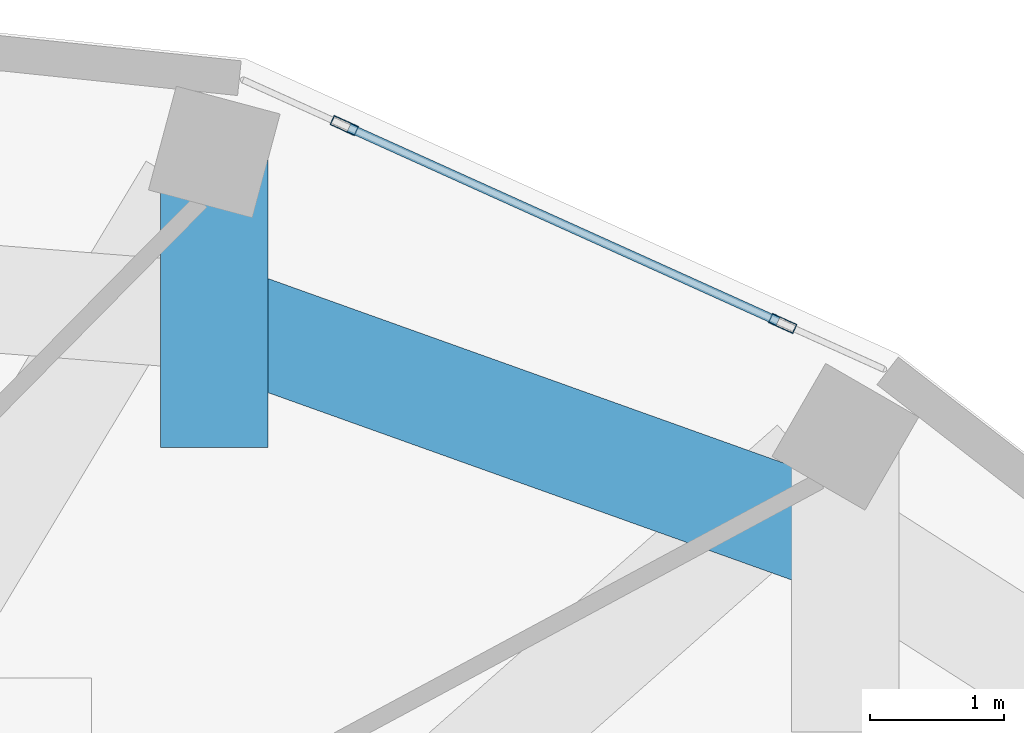
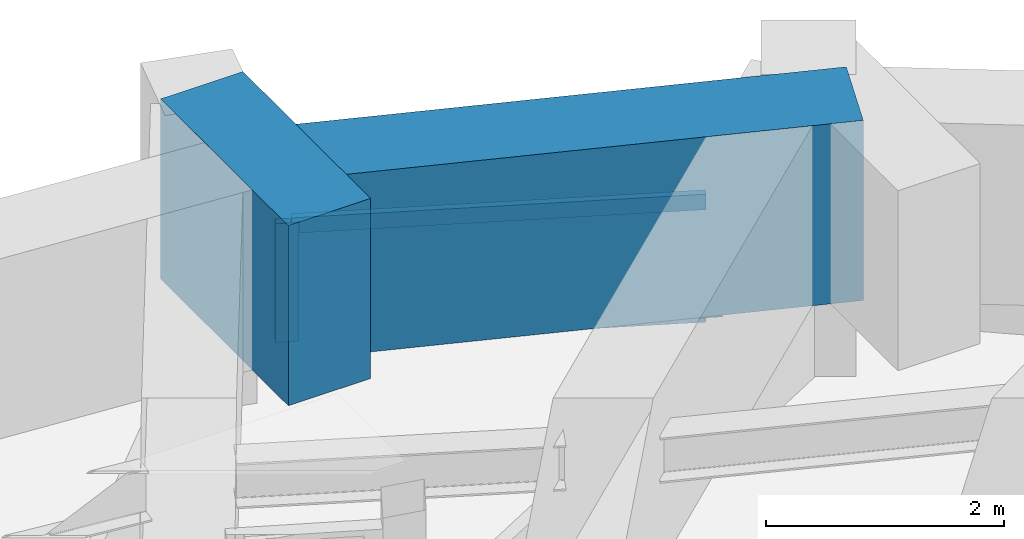
# One storey, part 9 of 17: 4 members, 2 beams, 1 element without a shape of its own.
"""IFC4 building model written with IfcOpenShell, lengths in metres."""

from ifc_helpers import new_model, si_unit, direction, frame, origin, origin_2d, place, context, subcontext, project, spatial, rectangle, hollow_rectangle, extrude, material, layer, layer_set, material_profile, profile_set, type_object, element, aggregate, save


model = new_model("IFC4")

# Units and contexts
model_context = context("Model", 3, precision=1e-05, world=origin(), true_north=direction((0.0, 1.0)))
body_context = subcontext(model_context, "Body", "Model", "MODEL_VIEW")
ifc_project = project(units=[si_unit("LENGTHUNIT", "METRE"), si_unit("AREAUNIT", "SQUARE_METRE"), si_unit("VOLUMEUNIT", "CUBIC_METRE"), si_unit("PLANEANGLEUNIT", "RADIAN"), si_unit("MASSUNIT", "GRAM", prefix="KILO")], contexts=[model_context])

# Site, building, storey
site_placement = place(None, origin())
site = spatial("IfcSite", under=ifc_project, at=site_placement, CompositionType="ELEMENT")
building_placement = place(site_placement, origin())
building = spatial("IfcBuilding", under=site, at=building_placement, Name="Solvane Sanctuary Tower", CompositionType="ELEMENT")
storey_placement = place(building_placement, frame((0.0, 0.0, 235.699951171875)))
storey = spatial("IfcBuildingStorey", under=building, at=storey_placement, Name="L72", CompositionType="ELEMENT", Elevation=235.699951171875)

# Beams
ifc_material_1 = material(Name="Concrete C70/85", Category="concrete")
ifc_material_profile_1 = material_profile(ifc_material_1, rectangle(XDim=0.800048828125, YDim=1.85009765625, at=origin_2d()), Name="RC800X1850")
ifc_profile_set_1 = profile_set([ifc_material_profile_1], Name="Concrete C70/85")
beam_type = type_object("IfcBeamType", Name="Beam B-XFER-BLK RC800X1850", PredefinedType="BEAM", material=ifc_profile_set_1)
beam_1_placement = place(storey_placement, frame((38.856201171875, 39.312255859375, 2.175048828125), z_axis=(0.0, -1.0, 0.0), x_axis=(1.0, 0.0, 0.0)))
element("IfcBeam", 1, at=beam_1_placement, inside=storey, type_object=beam_type, Name="L72 Block-Shift Transfer Tie 03B", PredefinedType="BEAM", context=body_context, shape_type="SweptSolid", body=[
    extrude(rectangle(XDim=0.800048828125, YDim=1.85009765625, at=origin_2d()), origin(), (0.0, 0.0, 1.0), 2.150146484375),
])
beam_2_placement = place(storey_placement, frame((38.856201171875, 38.13818359375, 2.175048828125), z_axis=(0.941554720599, -0.336860072014, 0.0), x_axis=(0.336860072014, 0.941554720599, 0.0)))
element("IfcBeam", 2, at=beam_2_placement, inside=storey, type_object=beam_type, Name="L72 Perimeter Step Transfer Ring NTC03-NTC02", PredefinedType="BEAM", context=body_context, shape_type="SweptSolid", body=[
    extrude(rectangle(XDim=0.800048828125, YDim=1.85009765625, at=origin_2d()), origin(), (0.0, 0.0, 1.0), 4.99072265625),
])

# Curtain wall, members
ifc_material_2 = material(Name="Anodised Aluminium 6063-T6", Category="aluminium")
ifc_layer = layer(ifc_material_2, 0.18994140625, Name="Anodised Aluminium 6063-T6")
ifc_layer_set = layer_set([ifc_layer], Name="Anodised Aluminium 6063-T6")
curtain_wall_type = type_object("IfcCurtainWallType", Name="Curtain Wall CW-OPER", PredefinedType="NOTDEFINED", material=ifc_layer_set)
curtain_wall_placement = place(storey_placement, origin())
curtain_wall = element("IfcCurtainWall", 3, at=curtain_wall_placement, inside=storey, type_object=curtain_wall_type, Name="L72 CW-OPER Facade Run 04", PredefinedType="NOTDEFINED")
ifc_material_profile_2 = material_profile(ifc_material_2, hollow_rectangle(XDim=0.074951171875, YDim=0.199951171875, WallThickness=0.00390625, at=origin_2d()), Name="ALU200X75X4")
ifc_profile_set_2 = profile_set([ifc_material_profile_2], Name="Anodised Aluminium 6063-T6")
member_type_1 = type_object("IfcMemberType", Name="Member M-CW-MUL-1 ALU200X75X4", PredefinedType="MULLION", material=ifc_profile_set_2)
member_1_placement = place(storey_placement, frame((43.088623046875, 38.08544921875, 0.0), z_axis=(0.0, 0.0, 1.0), x_axis=(-0.411470931711, -0.911422883385, 0.0)))
member_1 = element("IfcMember", 4, at=member_1_placement, type_object=member_type_1, Name="CW-OPER mullion 1", PredefinedType="MULLION", context=body_context, shape_type="SweptSolid", body=[
    extrude(hollow_rectangle(XDim=0.074951171875, YDim=0.199951171875, WallThickness=0.00390625, at=origin_2d()), origin(), (0.0, 0.0, 1.0), 1.219970703125),
])
member_2_placement = place(storey_placement, frame((39.824462890625, 39.55908203125, 0.0), z_axis=(0.0, 0.0, 1.0), x_axis=(-0.411470931711, -0.911422883385, 0.0)))
member_2 = element("IfcMember", 5, at=member_2_placement, type_object=member_type_1, Name="CW-OPER mullion 2", PredefinedType="MULLION", context=body_context, shape_type="SweptSolid", body=[
    extrude(hollow_rectangle(XDim=0.074951171875, YDim=0.199951171875, WallThickness=0.00390625, at=origin_2d()), origin(), (0.0, 0.0, 1.0), 1.219970703125),
])
ifc_material_profile_3 = material_profile(ifc_material_2, hollow_rectangle(XDim=0.06494140625, YDim=0.159912109375, WallThickness=0.00341796875, at=origin_2d()), Name="ALU160X65X3.5")
ifc_profile_set_3 = profile_set([ifc_material_profile_3], Name="Anodised Aluminium 6063-T6")
member_type_2 = type_object("IfcMemberType", Name="Member M-CW-TRN-1 ALU160X65X3.5", PredefinedType="USERDEFINED", material=ifc_profile_set_3)
member_3_placement = place(storey_placement, frame((43.054443359375, 38.100830078125, 0.032470703125), z_axis=(-0.911438831618, 0.411435603975, 0.0), x_axis=(-0.411435603975, -0.911438831618, 0.0)))
member_3 = element("IfcMember", 6, at=member_3_placement, type_object=member_type_2, Name="CW-OPER transom 1.1", ObjectType="TRANSOM", PredefinedType="USERDEFINED", context=body_context, shape_type="SweptSolid", body=[
    extrude(hollow_rectangle(XDim=0.06494140625, YDim=0.159912109375, WallThickness=0.00341796875, at=origin_2d()), origin(), (0.0, 0.0, 1.0), 3.50634765625),
])
member_4_placement = place(storey_placement, frame((43.054443359375, 38.100830078125, 1.1875), z_axis=(-0.911438831618, 0.411435603975, 0.0), x_axis=(-0.411435603975, -0.911438831618, 0.0)))
member_4 = element("IfcMember", 7, at=member_4_placement, type_object=member_type_2, Name="CW-OPER transom 1.2", ObjectType="TRANSOM", PredefinedType="USERDEFINED", context=body_context, shape_type="SweptSolid", body=[
    extrude(hollow_rectangle(XDim=0.06494140625, YDim=0.159912109375, WallThickness=0.00341796875, at=origin_2d()), origin(), (0.0, 0.0, 1.0), 3.50634765625),
])
aggregate(curtain_wall, [member_1, member_2, member_3, member_4])

save(model, "model.ifc")
